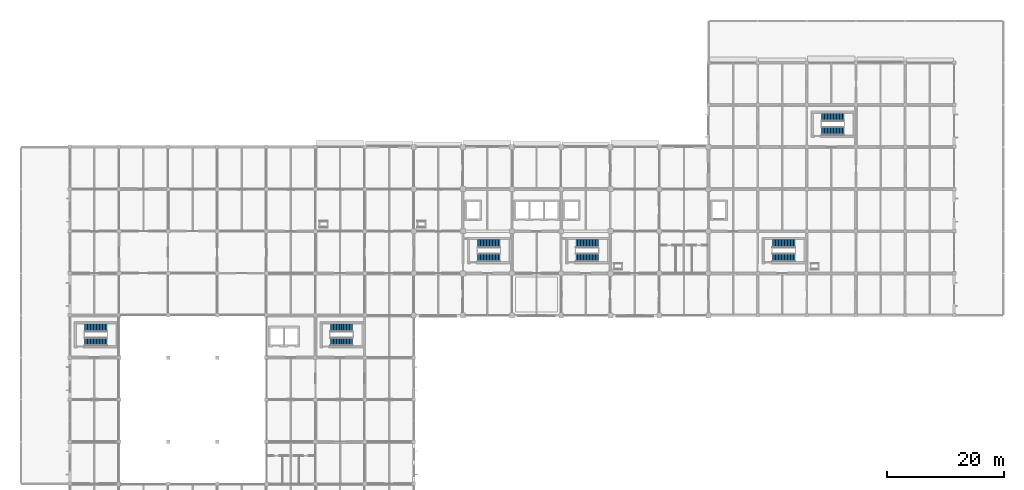
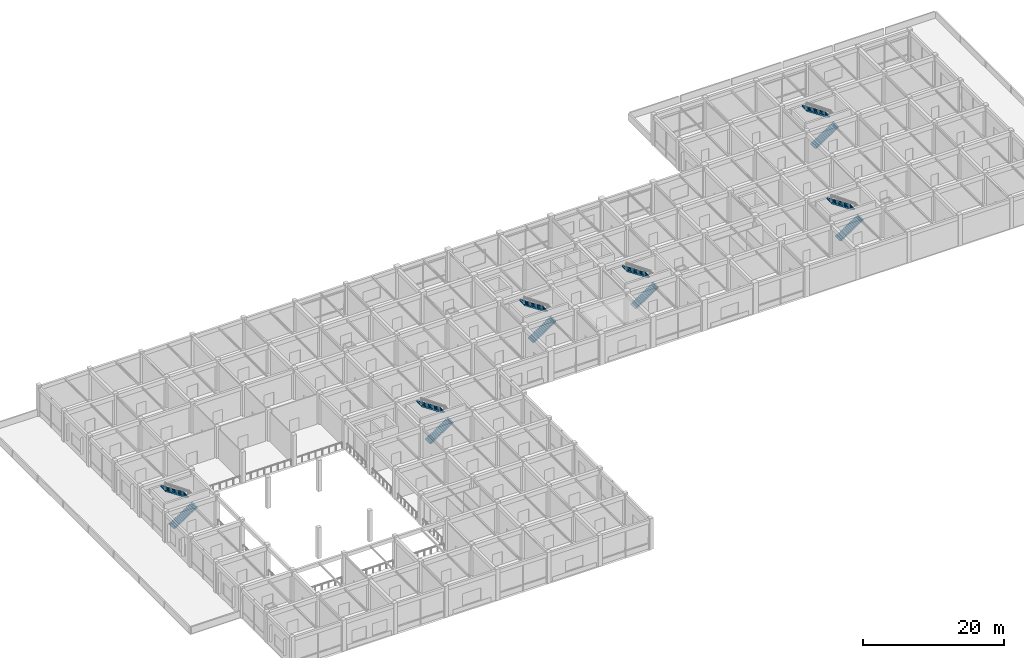
# One storey, part 31 of 38: 12 stair flights, 6 elements without a shape of their own.
"""IFC4 building model written with IfcOpenShell, lengths in metres."""

from ifc_helpers import new_model, si_unit, derived_unit, direction, frame, origin, place, context, subcontext, project, spatial, polyline, outline, extrude, material, type_object, element, aggregate, save


model = new_model("IFC4")

# Units and contexts
model_context = context("Model", 3, precision=1e-05, world=origin(), true_north=direction((0.0, 1.0)))
body_context = subcontext(model_context, "Body", "Model", "MODEL_VIEW")
ifc_project = project(units=[si_unit("LENGTHUNIT", "METRE"), si_unit("AREAUNIT", "SQUARE_METRE"), si_unit("VOLUMEUNIT", "CUBIC_METRE"), si_unit("PLANEANGLEUNIT", "RADIAN"), si_unit("MASSUNIT", "GRAM", prefix="KILO"), derived_unit("THERMALTRANSMITTANCEUNIT", [(si_unit("MASSUNIT", "GRAM", prefix="KILO"), 1), (si_unit("TIMEUNIT", "SECOND"), -3), (si_unit("THERMODYNAMICTEMPERATUREUNIT", "KELVIN"), -1)])], contexts=[model_context])

# Site, building, storey
site_placement = place(None, origin())
site = spatial("IfcSite", under=ifc_project, at=site_placement, CompositionType="ELEMENT")
building_placement = place(site_placement, origin())
building = spatial("IfcBuilding", under=site, at=building_placement, Name="Veldstrom Oceanarium and Marine Research Institute", CompositionType="ELEMENT")
storey_placement = place(building_placement, frame((0.0, 0.0, 11.39990234375)))
storey = spatial("IfcBuildingStorey", under=building, at=storey_placement, Name="L02", CompositionType="ELEMENT", Elevation=11.39990234375)

# Stair, stair flights
ifc_material_1 = material(Name="Concrete C40/50", Category="concrete")
stair_type = type_object("IfcStairType", Name="ARC-STR-ST-540", PredefinedType="TWO_STRAIGHT_RUN_STAIR", material=ifc_material_1)
stair_1_placement = place(storey_placement, origin())
stair_1 = element("IfcStair", 1, at=stair_1_placement, inside=storey, type_object=stair_type, Name="Dog-Leg Escape Stair ST1-L02", PredefinedType="TWO_STRAIGHT_RUN_STAIR")
ifc_material_2 = material(Name="Concrete C40/50", Category="concrete")
stair_flight_type = type_object("IfcStairFlightType", Name="ARC-STF-ST-540", PredefinedType="STRAIGHT", material=ifc_material_2)
stair_flight_1_placement = place(storey_placement, frame((78.139892578125, 53.10009765625, 0.0), z_axis=(0.0, 0.0, 1.0), x_axis=(1.0, 0.0, 0.0)))
stair_flight_1 = element("IfcStairFlight", 2, at=stair_flight_1_placement, type_object=stair_flight_type, Name="Stair Flight ST1-L02-1", NumberOfRisers=16, NumberOfTreads=15, PredefinedType="STRAIGHT", RiserHeight=0.16875, TreadLength=0.255, context=body_context, shape_type="SweptSolid", body=[
    extrude(outline(polyline([(0.0, 0.0), (0.0, 0.168701171875), (0.2548828125, 0.168701171875), (0.2548828125, 0.33740234375), (0.510009765625, 0.33740234375), (0.510009765625, 0.50634765625), (0.764892578125, 0.50634765625), (0.764892578125, 0.675048828125), (1.02001953125, 0.675048828125), (1.02001953125, 0.84375), (1.27490234375, 0.84375), (1.27490234375, 1.012451171875), (1.530029296875, 1.012451171875), (1.530029296875, 1.18115234375), (1.784912109375, 1.18115234375), (1.784912109375, 1.35009765625), (2.0400390625, 1.35009765625), (2.0400390625, 1.518798828125), (2.294921875, 1.518798828125), (2.294921875, 1.6875), (2.550048828125, 1.6875), (2.550048828125, 1.856201171875), (2.804931640625, 1.856201171875), (2.804931640625, 2.02490234375), (3.06005859375, 2.02490234375), (3.06005859375, 2.19384765625), (3.31494140625, 2.19384765625), (3.31494140625, 2.362548828125), (3.570068359375, 2.362548828125), (3.570068359375, 2.53125), (3.824951171875, 2.53125), (3.824951171875, 2.699951171875), (3.824951171875, 2.3154296875), (0.325927734375, 0.0), (0.0, 0.0)])), frame((0.0, 0.699951171875, 0.0), z_axis=(0.0, -1.0, 0.0), x_axis=(1.0, 0.0, 0.0)), (0.0, 0.0, 1.0), 1.39990234375),
])
stair_flight_2_placement = place(storey_placement, frame((81.965087890625, 55.5, 2.7001953125), z_axis=(0.0, 0.0, 1.0), x_axis=(-1.0, 0.0, 0.0)))
stair_flight_2 = element("IfcStairFlight", 3, at=stair_flight_2_placement, type_object=stair_flight_type, Name="Stair Flight ST1-L02-2", NumberOfRisers=16, NumberOfTreads=15, PredefinedType="STRAIGHT", RiserHeight=0.16875, TreadLength=0.255, context=body_context, shape_type="SweptSolid", body=[
    extrude(outline(polyline([(0.0, 0.0), (0.0, 0.168701171875), (0.2548828125, 0.168701171875), (0.2548828125, 0.33740234375), (0.510009765625, 0.33740234375), (0.510009765625, 0.50634765625), (0.764892578125, 0.50634765625), (0.764892578125, 0.675048828125), (1.02001953125, 0.675048828125), (1.02001953125, 0.84375), (1.27490234375, 0.84375), (1.27490234375, 1.012451171875), (1.530029296875, 1.012451171875), (1.530029296875, 1.18115234375), (1.784912109375, 1.18115234375), (1.784912109375, 1.35009765625), (2.0400390625, 1.35009765625), (2.0400390625, 1.518798828125), (2.294921875, 1.518798828125), (2.294921875, 1.6875), (2.550048828125, 1.6875), (2.550048828125, 1.856201171875), (2.804931640625, 1.856201171875), (2.804931640625, 2.02490234375), (3.06005859375, 2.02490234375), (3.06005859375, 2.19384765625), (3.31494140625, 2.19384765625), (3.31494140625, 2.362548828125), (3.570068359375, 2.362548828125), (3.570068359375, 2.53125), (3.824951171875, 2.53125), (3.824951171875, 2.699951171875), (3.824951171875, 2.3154296875), (0.325927734375, 0.0), (0.0, 0.0)])), frame((0.0, 0.699951171875, 0.0), z_axis=(0.0, -1.0, 0.0), x_axis=(1.0, 0.0, 0.0)), (0.0, 0.0, 1.0), 1.39990234375),
])
aggregate(stair_1, [stair_flight_1, stair_flight_2])

stair_2_placement = place(storey_placement, origin())
stair_2 = element("IfcStair", 4, at=stair_2_placement, inside=storey, type_object=stair_type, Name="Dog-Leg Escape Stair ST2-L02", PredefinedType="TWO_STRAIGHT_RUN_STAIR")
stair_flight_3_placement = place(storey_placement, frame((94.93994140625, 53.10009765625, 0.0), z_axis=(0.0, 0.0, 1.0), x_axis=(1.0, 0.0, 0.0)))
stair_flight_3 = element("IfcStairFlight", 5, at=stair_flight_3_placement, type_object=stair_flight_type, Name="Stair Flight ST2-L02-1", NumberOfRisers=16, NumberOfTreads=15, PredefinedType="STRAIGHT", RiserHeight=0.16875, TreadLength=0.255, context=body_context, shape_type="SweptSolid", body=[
    extrude(outline(polyline([(0.0, 0.0), (0.0, 0.168701171875), (0.2548828125, 0.168701171875), (0.2548828125, 0.33740234375), (0.510009765625, 0.33740234375), (0.510009765625, 0.50634765625), (0.764892578125, 0.50634765625), (0.764892578125, 0.675048828125), (1.02001953125, 0.675048828125), (1.02001953125, 0.84375), (1.27490234375, 0.84375), (1.27490234375, 1.012451171875), (1.530029296875, 1.012451171875), (1.530029296875, 1.18115234375), (1.784912109375, 1.18115234375), (1.784912109375, 1.35009765625), (2.0400390625, 1.35009765625), (2.0400390625, 1.518798828125), (2.294921875, 1.518798828125), (2.294921875, 1.6875), (2.550048828125, 1.6875), (2.550048828125, 1.856201171875), (2.804931640625, 1.856201171875), (2.804931640625, 2.02490234375), (3.06005859375, 2.02490234375), (3.06005859375, 2.19384765625), (3.31494140625, 2.19384765625), (3.31494140625, 2.362548828125), (3.570068359375, 2.362548828125), (3.570068359375, 2.53125), (3.824951171875, 2.53125), (3.824951171875, 2.699951171875), (3.824951171875, 2.3154296875), (0.325927734375, 0.0), (0.0, 0.0)])), frame((0.0, 0.699951171875, 0.0), z_axis=(0.0, -1.0, 0.0), x_axis=(1.0, 0.0, 0.0)), (0.0, 0.0, 1.0), 1.39990234375),
])
stair_flight_4_placement = place(storey_placement, frame((98.764892578125, 55.5, 2.7001953125), z_axis=(0.0, 0.0, 1.0), x_axis=(-1.0, 0.0, 0.0)))
stair_flight_4 = element("IfcStairFlight", 6, at=stair_flight_4_placement, type_object=stair_flight_type, Name="Stair Flight ST2-L02-2", NumberOfRisers=16, NumberOfTreads=15, PredefinedType="STRAIGHT", RiserHeight=0.16875, TreadLength=0.255, context=body_context, shape_type="SweptSolid", body=[
    extrude(outline(polyline([(0.0, 0.0), (0.0, 0.168701171875), (0.2548828125, 0.168701171875), (0.2548828125, 0.33740234375), (0.510009765625, 0.33740234375), (0.510009765625, 0.50634765625), (0.764892578125, 0.50634765625), (0.764892578125, 0.675048828125), (1.02001953125, 0.675048828125), (1.02001953125, 0.84375), (1.27490234375, 0.84375), (1.27490234375, 1.012451171875), (1.530029296875, 1.012451171875), (1.530029296875, 1.18115234375), (1.784912109375, 1.18115234375), (1.784912109375, 1.35009765625), (2.0400390625, 1.35009765625), (2.0400390625, 1.518798828125), (2.294921875, 1.518798828125), (2.294921875, 1.6875), (2.550048828125, 1.6875), (2.550048828125, 1.856201171875), (2.804931640625, 1.856201171875), (2.804931640625, 2.02490234375), (3.06005859375, 2.02490234375), (3.06005859375, 2.19384765625), (3.31494140625, 2.19384765625), (3.31494140625, 2.362548828125), (3.570068359375, 2.362548828125), (3.570068359375, 2.53125), (3.824951171875, 2.53125), (3.824951171875, 2.699951171875), (3.824951171875, 2.3154296875), (0.325927734375, 0.0), (0.0, 0.0)])), frame((0.0, 0.699951171875, 0.0), z_axis=(0.0, -1.0, 0.0), x_axis=(1.0, 0.0, 0.0)), (0.0, 0.0, 1.0), 1.39990234375),
])
aggregate(stair_2, [stair_flight_3, stair_flight_4])

stair_3_placement = place(storey_placement, origin())
stair_3 = element("IfcStair", 7, at=stair_3_placement, inside=storey, type_object=stair_type, Name="Dog-Leg Escape Stair ST3-L02", PredefinedType="TWO_STRAIGHT_RUN_STAIR")
stair_flight_5_placement = place(storey_placement, frame((10.93994140625, 38.699951171875, 0.0), z_axis=(0.0, 0.0, 1.0), x_axis=(1.0, 0.0, 0.0)))
stair_flight_5 = element("IfcStairFlight", 8, at=stair_flight_5_placement, type_object=stair_flight_type, Name="Stair Flight ST3-L02-1", NumberOfRisers=16, NumberOfTreads=15, PredefinedType="STRAIGHT", RiserHeight=0.16875, TreadLength=0.255, context=body_context, shape_type="SweptSolid", body=[
    extrude(outline(polyline([(0.0, 0.0), (0.0, 0.168701171875), (0.2548828125, 0.168701171875), (0.2548828125, 0.33740234375), (0.510009765625, 0.33740234375), (0.510009765625, 0.50634765625), (0.764892578125, 0.50634765625), (0.764892578125, 0.675048828125), (1.02001953125, 0.675048828125), (1.02001953125, 0.84375), (1.27490234375, 0.84375), (1.27490234375, 1.012451171875), (1.530029296875, 1.012451171875), (1.530029296875, 1.18115234375), (1.784912109375, 1.18115234375), (1.784912109375, 1.35009765625), (2.0400390625, 1.35009765625), (2.0400390625, 1.518798828125), (2.294921875, 1.518798828125), (2.294921875, 1.6875), (2.550048828125, 1.6875), (2.550048828125, 1.856201171875), (2.804931640625, 1.856201171875), (2.804931640625, 2.02490234375), (3.06005859375, 2.02490234375), (3.06005859375, 2.19384765625), (3.31494140625, 2.19384765625), (3.31494140625, 2.362548828125), (3.570068359375, 2.362548828125), (3.570068359375, 2.53125), (3.824951171875, 2.53125), (3.824951171875, 2.699951171875), (3.824951171875, 2.3154296875), (0.325927734375, 0.0), (0.0, 0.0)])), frame((0.0, 0.699951171875, 0.0), z_axis=(0.0, -1.0, 0.0), x_axis=(1.0, 0.0, 0.0)), (0.0, 0.0, 1.0), 1.39990234375),
])
stair_flight_6_placement = place(storey_placement, frame((14.764892578125, 41.10009765625, 2.7001953125), z_axis=(0.0, 0.0, 1.0), x_axis=(-1.0, 0.0, 0.0)))
stair_flight_6 = element("IfcStairFlight", 9, at=stair_flight_6_placement, type_object=stair_flight_type, Name="Stair Flight ST3-L02-2", NumberOfRisers=16, NumberOfTreads=15, PredefinedType="STRAIGHT", RiserHeight=0.16875, TreadLength=0.255, context=body_context, shape_type="SweptSolid", body=[
    extrude(outline(polyline([(0.0, 0.0), (0.0, 0.168701171875), (0.2548828125, 0.168701171875), (0.2548828125, 0.33740234375), (0.510009765625, 0.33740234375), (0.510009765625, 0.50634765625), (0.764892578125, 0.50634765625), (0.764892578125, 0.675048828125), (1.02001953125, 0.675048828125), (1.02001953125, 0.84375), (1.27490234375, 0.84375), (1.27490234375, 1.012451171875), (1.530029296875, 1.012451171875), (1.530029296875, 1.18115234375), (1.784912109375, 1.18115234375), (1.784912109375, 1.35009765625), (2.0400390625, 1.35009765625), (2.0400390625, 1.518798828125), (2.294921875, 1.518798828125), (2.294921875, 1.6875), (2.550048828125, 1.6875), (2.550048828125, 1.856201171875), (2.804931640625, 1.856201171875), (2.804931640625, 2.02490234375), (3.06005859375, 2.02490234375), (3.06005859375, 2.19384765625), (3.31494140625, 2.19384765625), (3.31494140625, 2.362548828125), (3.570068359375, 2.362548828125), (3.570068359375, 2.53125), (3.824951171875, 2.53125), (3.824951171875, 2.699951171875), (3.824951171875, 2.3154296875), (0.325927734375, 0.0), (0.0, 0.0)])), frame((0.0, 0.699951171875, 0.0), z_axis=(0.0, -1.0, 0.0), x_axis=(1.0, 0.0, 0.0)), (0.0, 0.0, 1.0), 1.39990234375),
])
aggregate(stair_3, [stair_flight_5, stair_flight_6])

stair_4_placement = place(storey_placement, origin())
stair_4 = element("IfcStair", 10, at=stair_4_placement, inside=storey, type_object=stair_type, Name="Dog-Leg Escape Stair ST4-L02", PredefinedType="TWO_STRAIGHT_RUN_STAIR")
stair_flight_7_placement = place(storey_placement, frame((128.5400390625, 53.10009765625, 0.0), z_axis=(0.0, 0.0, 1.0), x_axis=(1.0, 0.0, 0.0)))
stair_flight_7 = element("IfcStairFlight", 11, at=stair_flight_7_placement, type_object=stair_flight_type, Name="Stair Flight ST4-L02-1", NumberOfRisers=16, NumberOfTreads=15, PredefinedType="STRAIGHT", RiserHeight=0.16875, TreadLength=0.255, context=body_context, shape_type="SweptSolid", body=[
    extrude(outline(polyline([(0.0, 0.0), (0.0, 0.168701171875), (0.2548828125, 0.168701171875), (0.2548828125, 0.33740234375), (0.510009765625, 0.33740234375), (0.510009765625, 0.50634765625), (0.764892578125, 0.50634765625), (0.764892578125, 0.675048828125), (1.02001953125, 0.675048828125), (1.02001953125, 0.84375), (1.27490234375, 0.84375), (1.27490234375, 1.012451171875), (1.530029296875, 1.012451171875), (1.530029296875, 1.18115234375), (1.784912109375, 1.18115234375), (1.784912109375, 1.35009765625), (2.0400390625, 1.35009765625), (2.0400390625, 1.518798828125), (2.294921875, 1.518798828125), (2.294921875, 1.6875), (2.550048828125, 1.6875), (2.550048828125, 1.856201171875), (2.804931640625, 1.856201171875), (2.804931640625, 2.02490234375), (3.06005859375, 2.02490234375), (3.06005859375, 2.19384765625), (3.31494140625, 2.19384765625), (3.31494140625, 2.362548828125), (3.570068359375, 2.362548828125), (3.570068359375, 2.53125), (3.824951171875, 2.53125), (3.824951171875, 2.699951171875), (3.824951171875, 2.3154296875), (0.325927734375, 0.0), (0.0, 0.0)])), frame((0.0, 0.699951171875, 0.0), z_axis=(0.0, -1.0, 0.0), x_axis=(1.0, 0.0, 0.0)), (0.0, 0.0, 1.0), 1.39990234375),
])
stair_flight_8_placement = place(storey_placement, frame((132.364990234375, 55.5, 2.7001953125), z_axis=(0.0, 0.0, 1.0), x_axis=(-1.0, 0.0, 0.0)))
stair_flight_8 = element("IfcStairFlight", 12, at=stair_flight_8_placement, type_object=stair_flight_type, Name="Stair Flight ST4-L02-2", NumberOfRisers=16, NumberOfTreads=15, PredefinedType="STRAIGHT", RiserHeight=0.16875, TreadLength=0.255, context=body_context, shape_type="SweptSolid", body=[
    extrude(outline(polyline([(0.0, 0.0), (0.0, 0.168701171875), (0.2548828125, 0.168701171875), (0.2548828125, 0.33740234375), (0.510009765625, 0.33740234375), (0.510009765625, 0.50634765625), (0.764892578125, 0.50634765625), (0.764892578125, 0.675048828125), (1.02001953125, 0.675048828125), (1.02001953125, 0.84375), (1.27490234375, 0.84375), (1.27490234375, 1.012451171875), (1.530029296875, 1.012451171875), (1.530029296875, 1.18115234375), (1.784912109375, 1.18115234375), (1.784912109375, 1.35009765625), (2.0400390625, 1.35009765625), (2.0400390625, 1.518798828125), (2.294921875, 1.518798828125), (2.294921875, 1.6875), (2.550048828125, 1.6875), (2.550048828125, 1.856201171875), (2.804931640625, 1.856201171875), (2.804931640625, 2.02490234375), (3.06005859375, 2.02490234375), (3.06005859375, 2.19384765625), (3.31494140625, 2.19384765625), (3.31494140625, 2.362548828125), (3.570068359375, 2.362548828125), (3.570068359375, 2.53125), (3.824951171875, 2.53125), (3.824951171875, 2.699951171875), (3.824951171875, 2.3154296875), (0.325927734375, 0.0), (0.0, 0.0)])), frame((0.0, 0.699951171875, 0.0), z_axis=(0.0, -1.0, 0.0), x_axis=(1.0, 0.0, 0.0)), (0.0, 0.0, 1.0), 1.39990234375),
])
aggregate(stair_4, [stair_flight_7, stair_flight_8])

stair_5_placement = place(storey_placement, origin())
stair_5 = element("IfcStair", 13, at=stair_5_placement, inside=storey, type_object=stair_type, Name="Dog-Leg Escape Stair ST6-L02", PredefinedType="TWO_STRAIGHT_RUN_STAIR")
stair_flight_9_placement = place(storey_placement, frame((52.93994140625, 38.699951171875, 0.0), z_axis=(0.0, 0.0, 1.0), x_axis=(1.0, 0.0, 0.0)))
stair_flight_9 = element("IfcStairFlight", 14, at=stair_flight_9_placement, type_object=stair_flight_type, Name="Stair Flight ST6-L02-1", NumberOfRisers=16, NumberOfTreads=15, PredefinedType="STRAIGHT", RiserHeight=0.16875, TreadLength=0.255, context=body_context, shape_type="SweptSolid", body=[
    extrude(outline(polyline([(0.0, 0.0), (0.0, 0.168701171875), (0.2548828125, 0.168701171875), (0.2548828125, 0.33740234375), (0.510009765625, 0.33740234375), (0.510009765625, 0.50634765625), (0.764892578125, 0.50634765625), (0.764892578125, 0.675048828125), (1.02001953125, 0.675048828125), (1.02001953125, 0.84375), (1.27490234375, 0.84375), (1.27490234375, 1.012451171875), (1.530029296875, 1.012451171875), (1.530029296875, 1.18115234375), (1.784912109375, 1.18115234375), (1.784912109375, 1.35009765625), (2.0400390625, 1.35009765625), (2.0400390625, 1.518798828125), (2.294921875, 1.518798828125), (2.294921875, 1.6875), (2.550048828125, 1.6875), (2.550048828125, 1.856201171875), (2.804931640625, 1.856201171875), (2.804931640625, 2.02490234375), (3.06005859375, 2.02490234375), (3.06005859375, 2.19384765625), (3.31494140625, 2.19384765625), (3.31494140625, 2.362548828125), (3.570068359375, 2.362548828125), (3.570068359375, 2.53125), (3.824951171875, 2.53125), (3.824951171875, 2.699951171875), (3.824951171875, 2.3154296875), (0.325927734375, 0.0), (0.0, 0.0)])), frame((0.0, 0.699951171875, 0.0), z_axis=(0.0, -1.0, 0.0), x_axis=(1.0, 0.0, 0.0)), (0.0, 0.0, 1.0), 1.39990234375),
])
stair_flight_10_placement = place(storey_placement, frame((56.764892578125, 41.10009765625, 2.7001953125), z_axis=(0.0, 0.0, 1.0), x_axis=(-1.0, 0.0, 0.0)))
stair_flight_10 = element("IfcStairFlight", 15, at=stair_flight_10_placement, type_object=stair_flight_type, Name="Stair Flight ST6-L02-2", NumberOfRisers=16, NumberOfTreads=15, PredefinedType="STRAIGHT", RiserHeight=0.16875, TreadLength=0.255, context=body_context, shape_type="SweptSolid", body=[
    extrude(outline(polyline([(0.0, 0.0), (0.0, 0.168701171875), (0.2548828125, 0.168701171875), (0.2548828125, 0.33740234375), (0.510009765625, 0.33740234375), (0.510009765625, 0.50634765625), (0.764892578125, 0.50634765625), (0.764892578125, 0.675048828125), (1.02001953125, 0.675048828125), (1.02001953125, 0.84375), (1.27490234375, 0.84375), (1.27490234375, 1.012451171875), (1.530029296875, 1.012451171875), (1.530029296875, 1.18115234375), (1.784912109375, 1.18115234375), (1.784912109375, 1.35009765625), (2.0400390625, 1.35009765625), (2.0400390625, 1.518798828125), (2.294921875, 1.518798828125), (2.294921875, 1.6875), (2.550048828125, 1.6875), (2.550048828125, 1.856201171875), (2.804931640625, 1.856201171875), (2.804931640625, 2.02490234375), (3.06005859375, 2.02490234375), (3.06005859375, 2.19384765625), (3.31494140625, 2.19384765625), (3.31494140625, 2.362548828125), (3.570068359375, 2.362548828125), (3.570068359375, 2.53125), (3.824951171875, 2.53125), (3.824951171875, 2.699951171875), (3.824951171875, 2.3154296875), (0.325927734375, 0.0), (0.0, 0.0)])), frame((0.0, 0.699951171875, 0.0), z_axis=(0.0, -1.0, 0.0), x_axis=(1.0, 0.0, 0.0)), (0.0, 0.0, 1.0), 1.39990234375),
])
aggregate(stair_5, [stair_flight_9, stair_flight_10])

stair_6_placement = place(storey_placement, origin())
stair_6 = element("IfcStair", 16, at=stair_6_placement, inside=storey, type_object=stair_type, Name="Dog-Leg Escape Stair ST7-L02", PredefinedType="TWO_STRAIGHT_RUN_STAIR")
stair_flight_11_placement = place(storey_placement, frame((136.93994140625, 74.699951171875, 0.0), z_axis=(0.0, 0.0, 1.0), x_axis=(1.0, 0.0, 0.0)))
stair_flight_11 = element("IfcStairFlight", 17, at=stair_flight_11_placement, type_object=stair_flight_type, Name="Stair Flight ST7-L02-1", NumberOfRisers=16, NumberOfTreads=15, PredefinedType="STRAIGHT", RiserHeight=0.16875, TreadLength=0.255, context=body_context, shape_type="SweptSolid", body=[
    extrude(outline(polyline([(0.0, 0.0), (0.0, 0.168701171875), (0.2548828125, 0.168701171875), (0.2548828125, 0.33740234375), (0.510009765625, 0.33740234375), (0.510009765625, 0.50634765625), (0.764892578125, 0.50634765625), (0.764892578125, 0.675048828125), (1.02001953125, 0.675048828125), (1.02001953125, 0.84375), (1.27490234375, 0.84375), (1.27490234375, 1.012451171875), (1.530029296875, 1.012451171875), (1.530029296875, 1.18115234375), (1.784912109375, 1.18115234375), (1.784912109375, 1.35009765625), (2.0400390625, 1.35009765625), (2.0400390625, 1.518798828125), (2.294921875, 1.518798828125), (2.294921875, 1.6875), (2.550048828125, 1.6875), (2.550048828125, 1.856201171875), (2.804931640625, 1.856201171875), (2.804931640625, 2.02490234375), (3.06005859375, 2.02490234375), (3.06005859375, 2.19384765625), (3.31494140625, 2.19384765625), (3.31494140625, 2.362548828125), (3.570068359375, 2.362548828125), (3.570068359375, 2.53125), (3.824951171875, 2.53125), (3.824951171875, 2.699951171875), (3.824951171875, 2.3154296875), (0.325927734375, 0.0), (0.0, 0.0)])), frame((0.0, 0.699951171875, 0.0), z_axis=(0.0, -1.0, 0.0), x_axis=(1.0, 0.0, 0.0)), (0.0, 0.0, 1.0), 1.39990234375),
])
stair_flight_12_placement = place(storey_placement, frame((140.764892578125, 77.10009765625, 2.7001953125), z_axis=(0.0, 0.0, 1.0), x_axis=(-1.0, 0.0, 0.0)))
stair_flight_12 = element("IfcStairFlight", 18, at=stair_flight_12_placement, type_object=stair_flight_type, Name="Stair Flight ST7-L02-2", NumberOfRisers=16, NumberOfTreads=15, PredefinedType="STRAIGHT", RiserHeight=0.16875, TreadLength=0.255, context=body_context, shape_type="SweptSolid", body=[
    extrude(outline(polyline([(0.0, 0.0), (0.0, 0.168701171875), (0.2548828125, 0.168701171875), (0.2548828125, 0.33740234375), (0.510009765625, 0.33740234375), (0.510009765625, 0.50634765625), (0.764892578125, 0.50634765625), (0.764892578125, 0.675048828125), (1.02001953125, 0.675048828125), (1.02001953125, 0.84375), (1.27490234375, 0.84375), (1.27490234375, 1.012451171875), (1.530029296875, 1.012451171875), (1.530029296875, 1.18115234375), (1.784912109375, 1.18115234375), (1.784912109375, 1.35009765625), (2.0400390625, 1.35009765625), (2.0400390625, 1.518798828125), (2.294921875, 1.518798828125), (2.294921875, 1.6875), (2.550048828125, 1.6875), (2.550048828125, 1.856201171875), (2.804931640625, 1.856201171875), (2.804931640625, 2.02490234375), (3.06005859375, 2.02490234375), (3.06005859375, 2.19384765625), (3.31494140625, 2.19384765625), (3.31494140625, 2.362548828125), (3.570068359375, 2.362548828125), (3.570068359375, 2.53125), (3.824951171875, 2.53125), (3.824951171875, 2.699951171875), (3.824951171875, 2.3154296875), (0.325927734375, 0.0), (0.0, 0.0)])), frame((0.0, 0.699951171875, 0.0), z_axis=(0.0, -1.0, 0.0), x_axis=(1.0, 0.0, 0.0)), (0.0, 0.0, 1.0), 1.39990234375),
])
aggregate(stair_6, [stair_flight_11, stair_flight_12])

save(model, "model.ifc")
